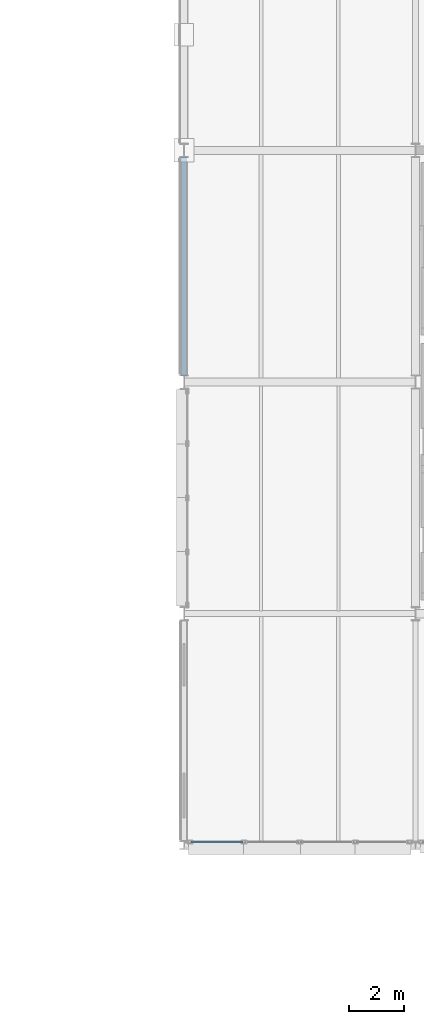
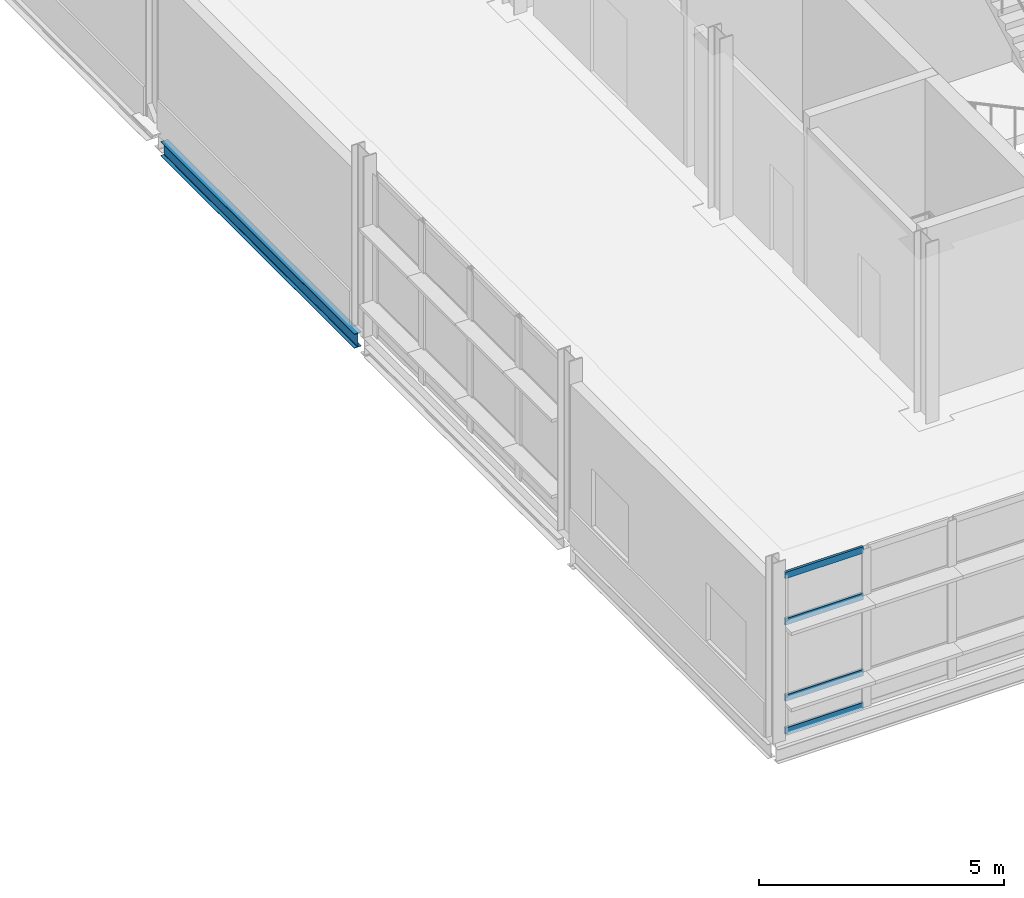
# One storey, part 65 of 129: 4 members, 1 beam, 1 element without a shape of its own.
"""IFC4 building model written with IfcOpenShell, lengths in metres."""

from ifc_helpers import new_model, si_unit, direction, frame, origin, origin_2d, place, context, subcontext, project, spatial, hollow_rectangle, i_section, extrude, material, material_profile, profile_set, type_object, element, aggregate, save


model = new_model("IFC4")

# Units and contexts
model_context = context("Model", 3, precision=1e-05, world=origin(), true_north=direction((0.0, 1.0)))
body_context = subcontext(model_context, "Body", "Model", "MODEL_VIEW")
ifc_project = project(units=[si_unit("LENGTHUNIT", "METRE"), si_unit("AREAUNIT", "SQUARE_METRE"), si_unit("VOLUMEUNIT", "CUBIC_METRE"), si_unit("PLANEANGLEUNIT", "RADIAN"), si_unit("MASSUNIT", "GRAM", prefix="KILO")], contexts=[model_context])

# Site, building, storey
site_placement = place(None, origin())
site = spatial("IfcSite", under=ifc_project, at=site_placement, CompositionType="ELEMENT")
building_placement = place(site_placement, origin())
building = spatial("IfcBuilding", under=site, at=building_placement, Name="Mersafa Astral City Hall", CompositionType="ELEMENT")
storey_placement = place(building_placement, frame((0.0, 0.0, 5.39990234375)))
storey = spatial("IfcBuildingStorey", under=building, at=storey_placement, Name="L01", CompositionType="ELEMENT", Elevation=5.39990234375)

# Curtain wall, members
ifc_material_1 = material(Name="Anodised bronze aluminium framing", Category="aluminium")
curtain_wall_type = type_object("IfcCurtainWallType", Name="ENV-CW-3", PredefinedType="USERDEFINED", material=ifc_material_1)
curtain_wall_placement = place(storey_placement, origin())
curtain_wall = element("IfcCurtainWall", 1, at=curtain_wall_placement, inside=storey, type_object=curtain_wall_type, Name="L01 Unitised solar curtain wall 68", ObjectType="UNITISED CURTAIN WALL", PredefinedType="USERDEFINED")
ifc_material_profile_1 = material_profile(ifc_material_1, hollow_rectangle(XDim=0.06005859375, YDim=0.159912109375, WallThickness=0.00390625, at=origin_2d()), Name="RHS 60x160x4")
ifc_profile_set_1 = profile_set([ifc_material_profile_1], Name="Anodised bronze aluminium framing")
member_type = type_object("IfcMemberType", Name="ENV-CW-TRN-2", PredefinedType="USERDEFINED", material=ifc_profile_set_1)
member_1_placement = place(storey_placement, frame((159.882080078125, 42.1201171875, 0.028076171875), z_axis=(1.0, 0.0, 0.0), x_axis=(0.0, 1.0, 0.0)))
member_1 = element("IfcMember", 2, at=member_1_placement, type_object=member_type, Name="CW-3 transom 1.1", ObjectType="TRANSOM", PredefinedType="USERDEFINED", context=body_context, shape_type="SweptSolid", body=[
    extrude(hollow_rectangle(XDim=0.06005859375, YDim=0.159912109375, WallThickness=0.00390625, at=origin_2d()), origin(), (0.0, 0.0, 1.0), 1.8388671875),
])
member_2_placement = place(storey_placement, frame((159.882080078125, 42.1201171875, 0.85009765625), z_axis=(1.0, 0.0, 0.0), x_axis=(0.0, 1.0, 0.0)))
member_2 = element("IfcMember", 3, at=member_2_placement, type_object=member_type, Name="CW-3 transom 1.2", ObjectType="TRANSOM", PredefinedType="USERDEFINED", context=body_context, shape_type="SweptSolid", body=[
    extrude(hollow_rectangle(XDim=0.06005859375, YDim=0.159912109375, WallThickness=0.00390625, at=origin_2d()), origin(), (0.0, 0.0, 1.0), 1.8388671875),
])
member_3_placement = place(storey_placement, frame((159.882080078125, 42.1201171875, 2.75), z_axis=(1.0, 0.0, 0.0), x_axis=(0.0, 1.0, 0.0)))
member_3 = element("IfcMember", 4, at=member_3_placement, type_object=member_type, Name="CW-3 transom 1.3", ObjectType="TRANSOM", PredefinedType="USERDEFINED", context=body_context, shape_type="SweptSolid", body=[
    extrude(hollow_rectangle(XDim=0.06005859375, YDim=0.159912109375, WallThickness=0.00390625, at=origin_2d()), origin(), (0.0, 0.0, 1.0), 1.8388671875),
])
member_4_placement = place(storey_placement, frame((159.882080078125, 42.1201171875, 3.906982421875), z_axis=(1.0, 0.0, 0.0), x_axis=(0.0, 1.0, 0.0)))
member_4 = element("IfcMember", 5, at=member_4_placement, type_object=member_type, Name="CW-3 transom 1.4", ObjectType="TRANSOM", PredefinedType="USERDEFINED", context=body_context, shape_type="SweptSolid", body=[
    extrude(hollow_rectangle(XDim=0.06005859375, YDim=0.159912109375, WallThickness=0.00390625, at=origin_2d()), origin(), (0.0, 0.0, 1.0), 1.8388671875),
])
aggregate(curtain_wall, [member_1, member_2, member_3, member_4])

# Beam
ifc_material_2 = material(Name="Steel S355", Category="steel")
ifc_material_profile_2 = material_profile(ifc_material_2, i_section(OverallWidth=0.169921875, OverallDepth=0.360107421875, WebThickness=0.008056640625, FlangeThickness=0.0126953125, FilletRadius=0.01806640625, at=origin_2d()), Name="IPE 360")
ifc_profile_set_2 = profile_set([ifc_material_profile_2], Name="Steel S355")
beam_type = type_object("IfcBeamType", Name="STR-BM-SPANDREL-IPE360", PredefinedType="SPANDREL", material=ifc_profile_set_2)
beam_placement = place(storey_placement, frame((159.60009765625, 59.044921875, -0.40478515625), z_axis=(0.0, 1.0, 0.0), x_axis=(-1.0, 0.0, 0.0)))
element("IfcBeam", 6, at=beam_placement, inside=storey, type_object=beam_type, Name="L01 Primary girder Y 19-7", PredefinedType="SPANDREL", context=body_context, shape_type="SweptSolid", body=[
    extrude(i_section(OverallWidth=0.169921875, OverallDepth=0.360107421875, WebThickness=0.008056640625, FlangeThickness=0.0126953125, FilletRadius=0.01806640625, at=origin_2d()), origin(), (0.0, 0.0, 1.0), 7.91015625),
])

save(model, "model.ifc")
